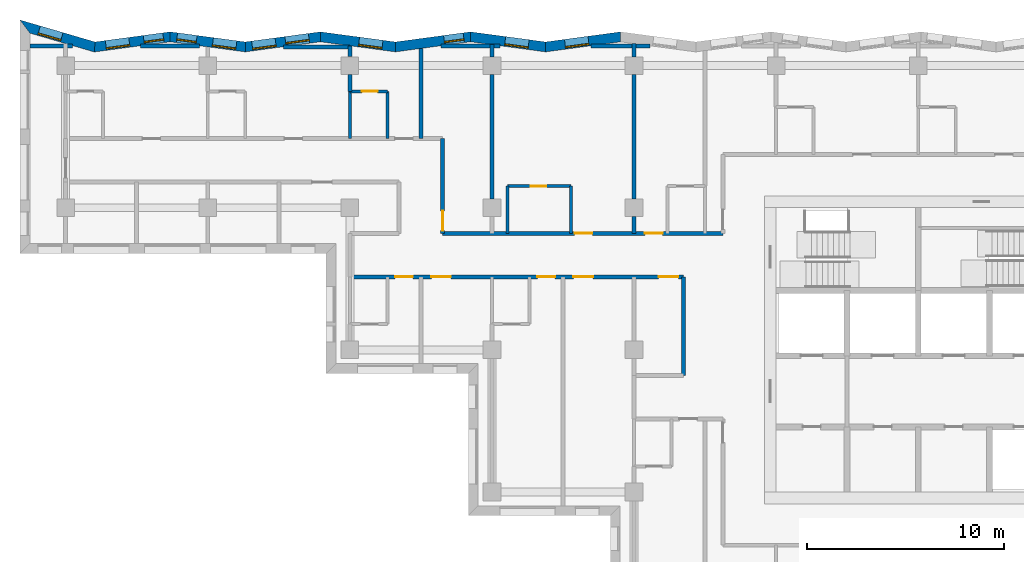
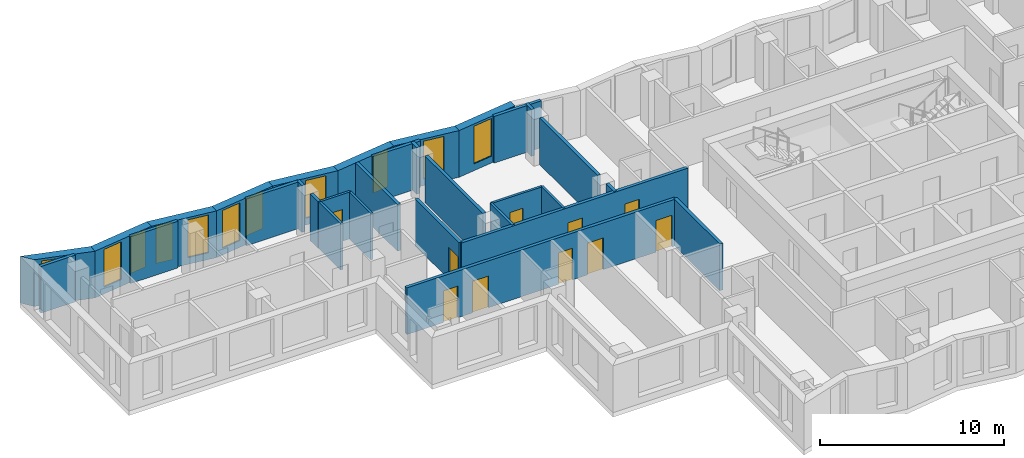
# One storey, part 5 of 12: 31 walls, 11 windows, 10 doors, 21 openings.
"""IFC4 building model written with IfcOpenShell, lengths in metres."""

from ifc_helpers import new_model, si_unit, direction, frame, frame_2d, origin, place, context, subcontext, project, spatial, polyline, rectangle, outline, extrude, material, layer, layer_set, type_object, element, fill, save


model = new_model("IFC4")

# Units and contexts
model_context = context("Model", 3, precision=1e-05, world=origin(), true_north=direction((0.0, 1.0)))
body_context = subcontext(model_context, "Body", "Model", "MODEL_VIEW")
ifc_project = project(units=[si_unit("LENGTHUNIT", "METRE"), si_unit("AREAUNIT", "SQUARE_METRE"), si_unit("VOLUMEUNIT", "CUBIC_METRE"), si_unit("PLANEANGLEUNIT", "RADIAN"), si_unit("MASSUNIT", "GRAM", prefix="KILO")], contexts=[model_context])

# Site, building, storey
site_placement = place(None, origin())
site = spatial("IfcSite", under=ifc_project, at=site_placement, CompositionType="ELEMENT")
building_placement = place(site_placement, origin())
building = spatial("IfcBuilding", under=site, at=building_placement, Name="Windrow Commons", CompositionType="ELEMENT")
storey_placement = place(building_placement, frame((0.0, 0.0, 159.2)))
storey = spatial("IfcBuildingStorey", under=building, at=storey_placement, Name="L43", CompositionType="ELEMENT", Elevation=159.2)

# Wall, opening, window
ifc_material_1 = material(Name="Brick masonry, red clay brick", Category="masonry")
ifc_layer_1 = layer(ifc_material_1, 0.5)
ifc_layer_set_1 = layer_set([ifc_layer_1], Name="Brick facade wall 500")
wall_type_1 = type_object("IfcWallType", Name="Brick facade wall 500", PredefinedType="SOLIDWALL", material=ifc_layer_set_1)
wall_1_placement = place(storey_placement, frame((49.7229, 73.4597, 0.0), z_axis=(0.0, 0.0, 1.0), x_axis=(-0.9910651652, -0.1333785524, 0.0)))
wall_1 = element("IfcWall", 1, at=wall_1_placement, inside=storey, type_object=wall_type_1, Name="Brick facade wall L43 27", PredefinedType="SOLIDWALL", context=body_context, shape_type="SweptSolid", body=[
    extrude(outline(polyline([(-0.0336, -0.25), (3.805, -0.25), (3.8723, 0.25), (0.0336, 0.25), (-0.0336, -0.25)])), origin(), (0.0, 0.0, 1.0), 3.1),
])
opening_1_placement = place(wall_1_placement, frame((1.6414, 0.0, 0.45)))
opening_1 = element("IfcOpeningElement", 2, at=opening_1_placement, cuts=wall_1, Name="Opening W7E", PredefinedType="OPENING", context=body_context, shape_type="SweptSolid", body=[
    extrude(rectangle(XDim=1.2, YDim=2.5, at=frame_2d((0.6, 1.25))), frame((0.0, 0.26, 0.0), z_axis=(0.0, -1.0, 0.0), x_axis=(1.0, 0.0, 0.0)), (0.0, 0.0, 1.0), 0.52),
])
ifc_material_2 = material(Name="Clear float glass in anodised aluminium frame", Category="aluminium")
window_type_1 = type_object("IfcWindowType", Name="Window W7 notch 1200x2500", PartitioningType="SINGLE_PANEL", PredefinedType="WINDOW", material=ifc_material_2)
window_1_placement = place(opening_1_placement, origin())
window_1 = element("IfcWindow", 3, at=window_1_placement, inside=storey, type_object=window_type_1, Name="Window L43 27.1", OverallHeight=2.5, OverallWidth=1.2, PartitioningType="SINGLE_PANEL", PredefinedType="WINDOW", context=body_context, shape_type="SweptSolid", body=[
    extrude(rectangle(XDim=1.2, YDim=2.5, at=frame_2d((0.6, 1.25))), frame((0.0, 0.18, 0.0), z_axis=(0.0, -1.0, 0.0), x_axis=(1.0, 0.0, 0.0)), (0.0, 0.0, 1.0), 0.06),
])
fill(opening_1, window_1)

wall_2_placement = place(storey_placement, frame((45.9185, 72.9477, 0.0), z_axis=(0.0, 0.0, 1.0), x_axis=(-0.9910651652, 0.1333785524, 0.0)))
wall_2 = element("IfcWall", 4, at=wall_2_placement, inside=storey, type_object=wall_type_1, Name="Brick facade wall L43 28", PredefinedType="SOLIDWALL", context=body_context, shape_type="SweptSolid", body=[
    extrude(outline(polyline([(0.0336, -0.25), (3.8723, -0.25), (3.805, 0.25), (-0.0336, 0.25), (0.0336, -0.25)])), origin(), (0.0, 0.0, 1.0), 3.1),
])
opening_2_placement = place(wall_2_placement, frame((0.8715, 0.0, 0.45)))
opening_2 = element("IfcOpeningElement", 5, at=opening_2_placement, cuts=wall_2, Name="Opening W7E", PredefinedType="OPENING", context=body_context, shape_type="SweptSolid", body=[
    extrude(rectangle(XDim=1.2, YDim=2.5, at=frame_2d((0.6, 1.25))), frame((0.0, 0.26, 0.0), z_axis=(0.0, -1.0, 0.0), x_axis=(1.0, 0.0, 0.0)), (0.0, 0.0, 1.0), 0.52),
])
window_2_placement = place(opening_2_placement, origin())
window_2 = element("IfcWindow", 6, at=window_2_placement, inside=storey, type_object=window_type_1, Name="Window L43 28.1", OverallHeight=2.5, OverallWidth=1.2, PartitioningType="SINGLE_PANEL", PredefinedType="WINDOW", context=body_context, shape_type="SweptSolid", body=[
    extrude(rectangle(XDim=1.2, YDim=2.5, at=frame_2d((0.6, 1.25))), frame((0.0, 0.18, 0.0), z_axis=(0.0, -1.0, 0.0), x_axis=(1.0, 0.0, 0.0)), (0.0, 0.0, 1.0), 0.06),
])
fill(opening_2, window_2)

wall_3_placement = place(storey_placement, frame((42.1141, 73.4597, 0.0), z_axis=(0.0, 0.0, 1.0), x_axis=(-0.9910647018, -0.133381996, 0.0)))
wall_3 = element("IfcWall", 7, at=wall_3_placement, inside=storey, type_object=wall_type_1, Name="Brick facade wall L43 29", PredefinedType="SOLIDWALL", context=body_context, shape_type="SweptSolid", body=[
    extrude(outline(polyline([(-0.0336, -0.25), (3.805, -0.25), (3.8723, 0.25), (0.0336, 0.25), (-0.0336, -0.25)])), origin(), (0.0, 0.0, 1.0), 3.1),
])
opening_3_placement = place(wall_3_placement, frame((0.345, 0.0, 0.45)))
opening_3 = element("IfcOpeningElement", 8, at=opening_3_placement, cuts=wall_3, Name="Opening W1S", PredefinedType="OPENING", context=body_context, shape_type="SweptSolid", body=[
    extrude(rectangle(XDim=1.0, YDim=2.5, at=frame_2d((0.5, 1.25))), frame((0.0, 0.26, 0.0), z_axis=(0.0, -1.0, 0.0), x_axis=(1.0, 0.0, 0.0)), (0.0, 0.0, 1.0), 0.52),
])
ifc_material_3 = material(Name="Clear float glass in anodised aluminium frame", Category="aluminium")
window_type_2 = type_object("IfcWindowType", Name="Window W1S slit 1000x2500", PartitioningType="SINGLE_PANEL", PredefinedType="WINDOW", material=ifc_material_3)
window_3_placement = place(opening_3_placement, origin())
window_3 = element("IfcWindow", 9, at=window_3_placement, inside=storey, type_object=window_type_2, Name="Window L43 29.1A", OverallHeight=2.5, OverallWidth=1.0, PartitioningType="SINGLE_PANEL", PredefinedType="WINDOW", context=body_context, shape_type="SweptSolid", body=[
    extrude(rectangle(XDim=1.0, YDim=2.5, at=frame_2d((0.5, 1.25))), frame((0.0, 0.12, 0.0), z_axis=(0.0, -1.0, 0.0), x_axis=(1.0, 0.0, 0.0)), (0.0, 0.0, 1.0), 0.06),
])
fill(opening_3, window_3)

wall_4_placement = place(storey_placement, frame((38.3098, 72.9477, 0.0), z_axis=(0.0, 0.0, 1.0), x_axis=(-0.9910651652, 0.1333785524, 0.0)))
wall_4 = element("IfcWall", 10, at=wall_4_placement, inside=storey, type_object=wall_type_1, Name="Brick facade wall L43 30", PredefinedType="SOLIDWALL", context=body_context, shape_type="SweptSolid", body=[
    extrude(outline(polyline([(0.0336, -0.25), (3.8723, -0.25), (3.805, 0.25), (-0.0336, 0.25), (0.0336, -0.25)])), origin(), (0.0, 0.0, 1.0), 3.1),
])
opening_4_placement = place(wall_4_placement, frame((0.6653, 0.0, 0.45)))
opening_4 = element("IfcOpeningElement", 11, at=opening_4_placement, cuts=wall_4, Name="Opening W7E", PredefinedType="OPENING", context=body_context, shape_type="SweptSolid", body=[
    extrude(rectangle(XDim=1.2, YDim=2.5, at=frame_2d((0.6, 1.25))), frame((0.0, 0.26, 0.0), z_axis=(0.0, -1.0, 0.0), x_axis=(1.0, 0.0, 0.0)), (0.0, 0.0, 1.0), 0.52),
])
window_4_placement = place(opening_4_placement, origin())
window_4 = element("IfcWindow", 12, at=window_4_placement, inside=storey, type_object=window_type_1, Name="Window L43 30.1", OverallHeight=2.5, OverallWidth=1.2, PartitioningType="SINGLE_PANEL", PredefinedType="WINDOW", context=body_context, shape_type="SweptSolid", body=[
    extrude(rectangle(XDim=1.2, YDim=2.5, at=frame_2d((0.6, 1.25))), frame((0.0, 0.18, 0.0), z_axis=(0.0, -1.0, 0.0), x_axis=(1.0, 0.0, 0.0)), (0.0, 0.0, 1.0), 0.06),
])
fill(opening_4, window_4)

# Wall, openings, windows
wall_5_placement = place(storey_placement, frame((34.5054, 73.4597, 0.0), z_axis=(0.0, 0.0, 1.0), x_axis=(-0.9910647018, -0.133381996, 0.0)))
wall_5 = element("IfcWall", 13, at=wall_5_placement, inside=storey, type_object=wall_type_1, Name="Brick facade wall L43 31", PredefinedType="SOLIDWALL", context=body_context, shape_type="SweptSolid", body=[
    extrude(outline(polyline([(-0.0336, -0.25), (3.805, -0.25), (3.8723, 0.25), (0.0336, 0.25), (-0.0336, -0.25)])), origin(), (0.0, 0.0, 1.0), 3.1),
])
opening_5_placement = place(wall_5_placement, frame((0.579, 0.0, 0.45)))
opening_5 = element("IfcOpeningElement", 14, at=opening_5_placement, cuts=wall_5, Name="Opening W7E", PredefinedType="OPENING", context=body_context, shape_type="SweptSolid", body=[
    extrude(rectangle(XDim=1.2, YDim=2.5, at=frame_2d((0.6, 1.25))), frame((0.0, 0.26, 0.0), z_axis=(0.0, -1.0, 0.0), x_axis=(1.0, 0.0, 0.0)), (0.0, 0.0, 1.0), 0.52),
])
opening_6_placement = place(wall_5_placement, frame((2.2815, 0.0, 0.45)))
opening_6 = element("IfcOpeningElement", 15, at=opening_6_placement, cuts=wall_5, Name="Opening W7E", PredefinedType="OPENING", context=body_context, shape_type="SweptSolid", body=[
    extrude(rectangle(XDim=1.2, YDim=2.5, at=frame_2d((0.6, 1.25))), frame((0.0, 0.26, 0.0), z_axis=(0.0, -1.0, 0.0), x_axis=(1.0, 0.0, 0.0)), (0.0, 0.0, 1.0), 0.52),
])
window_5_placement = place(opening_5_placement, origin())
window_5 = element("IfcWindow", 16, at=window_5_placement, inside=storey, type_object=window_type_1, Name="Window L43 31.1", OverallHeight=2.5, OverallWidth=1.2, PartitioningType="SINGLE_PANEL", PredefinedType="WINDOW", context=body_context, shape_type="SweptSolid", body=[
    extrude(rectangle(XDim=1.2, YDim=2.5, at=frame_2d((0.6, 1.25))), frame((0.0, 0.12, 0.0), z_axis=(0.0, -1.0, 0.0), x_axis=(1.0, 0.0, 0.0)), (0.0, 0.0, 1.0), 0.06),
])
fill(opening_5, window_5)
window_6_placement = place(opening_6_placement, origin())
window_6 = element("IfcWindow", 17, at=window_6_placement, inside=storey, type_object=window_type_1, Name="Window L43 31.2", OverallHeight=2.5, OverallWidth=1.2, PartitioningType="SINGLE_PANEL", PredefinedType="WINDOW", context=body_context, shape_type="SweptSolid", body=[
    extrude(rectangle(XDim=1.2, YDim=2.5, at=frame_2d((0.6, 1.25))), frame((0.0, 0.18, 0.0), z_axis=(0.0, -1.0, 0.0), x_axis=(1.0, 0.0, 0.0)), (0.0, 0.0, 1.0), 0.06),
])
fill(opening_6, window_6)

wall_6_placement = place(storey_placement, frame((30.7011, 72.9477, 0.0), z_axis=(0.0, 0.0, 1.0), x_axis=(-0.9910651652, 0.1333785524, 0.0)))
wall_6 = element("IfcWall", 18, at=wall_6_placement, inside=storey, type_object=wall_type_1, Name="Brick facade wall L43 32", PredefinedType="SOLIDWALL", context=body_context, shape_type="SweptSolid", body=[
    extrude(outline(polyline([(0.0336, -0.25), (3.8723, -0.25), (3.805, 0.25), (-0.0336, 0.25), (0.0336, -0.25)])), origin(), (0.0, 0.0, 1.0), 3.1),
])
opening_7_placement = place(wall_6_placement, frame((0.4591, 0.0, 0.45)))
opening_7 = element("IfcOpeningElement", 19, at=opening_7_placement, cuts=wall_6, Name="Opening W7E", PredefinedType="OPENING", context=body_context, shape_type="SweptSolid", body=[
    extrude(rectangle(XDim=1.2, YDim=2.5, at=frame_2d((0.6, 1.25))), frame((0.0, 0.26, 0.0), z_axis=(0.0, -1.0, 0.0), x_axis=(1.0, 0.0, 0.0)), (0.0, 0.0, 1.0), 0.52),
])
opening_8_placement = place(wall_6_placement, frame((2.4938, 0.0, 0.45)))
opening_8 = element("IfcOpeningElement", 20, at=opening_8_placement, cuts=wall_6, Name="Opening W1S", PredefinedType="OPENING", context=body_context, shape_type="SweptSolid", body=[
    extrude(rectangle(XDim=1.0, YDim=2.5, at=frame_2d((0.5, 1.25))), frame((0.0, 0.26, 0.0), z_axis=(0.0, -1.0, 0.0), x_axis=(1.0, 0.0, 0.0)), (0.0, 0.0, 1.0), 0.52),
])
window_7_placement = place(opening_8_placement, origin())
window_7 = element("IfcWindow", 21, at=window_7_placement, inside=storey, type_object=window_type_2, Name="Window L43 32.2A", OverallHeight=2.5, OverallWidth=1.0, PartitioningType="SINGLE_PANEL", PredefinedType="WINDOW", context=body_context, shape_type="SweptSolid", body=[
    extrude(rectangle(XDim=1.0, YDim=2.5, at=frame_2d((0.5, 1.25))), frame((0.0, 0.12, 0.0), z_axis=(0.0, -1.0, 0.0), x_axis=(1.0, 0.0, 0.0)), (0.0, 0.0, 1.0), 0.06),
])
fill(opening_8, window_7)
window_8_placement = place(opening_7_placement, origin())
window_8 = element("IfcWindow", 22, at=window_8_placement, inside=storey, type_object=window_type_1, Name="Window L43 32.1", OverallHeight=2.5, OverallWidth=1.2, PartitioningType="SINGLE_PANEL", PredefinedType="WINDOW", context=body_context, shape_type="SweptSolid", body=[
    extrude(rectangle(XDim=1.2, YDim=2.5, at=frame_2d((0.6, 1.25))), frame((0.0, 0.18, 0.0), z_axis=(0.0, -1.0, 0.0), x_axis=(1.0, 0.0, 0.0)), (0.0, 0.0, 1.0), 0.06),
])
fill(opening_7, window_8)

wall_7_placement = place(storey_placement, frame((26.8967, 73.4597, 0.0), z_axis=(0.0, 0.0, 1.0), x_axis=(-0.9910680415, -0.1333571784, 0.0)))
wall_7 = element("IfcWall", 23, at=wall_7_placement, inside=storey, type_object=wall_type_1, Name="Brick facade wall L43 33", PredefinedType="SOLIDWALL", context=body_context, shape_type="SweptSolid", body=[
    extrude(outline(polyline([(-0.0336, -0.25), (3.805, -0.25), (3.9111, 0.25), (0.0336, 0.25), (-0.0336, -0.25)])), origin(), (0.0, 0.0, 1.0), 3.1),
])
opening_9_placement = place(wall_7_placement, frame((2.085, 0.0, 0.45)))
opening_9 = element("IfcOpeningElement", 24, at=opening_9_placement, cuts=wall_7, Name="Opening W7E", PredefinedType="OPENING", context=body_context, shape_type="SweptSolid", body=[
    extrude(rectangle(XDim=1.2, YDim=2.5, at=frame_2d((0.6, 1.25))), frame((0.0, 0.26, 0.0), z_axis=(0.0, -1.0, 0.0), x_axis=(1.0, 0.0, 0.0)), (0.0, 0.0, 1.0), 0.52),
])
opening_10_placement = place(wall_7_placement, frame((0.345, 0.0, 0.45)))
opening_10 = element("IfcOpeningElement", 25, at=opening_10_placement, cuts=wall_7, Name="Opening W1S", PredefinedType="OPENING", context=body_context, shape_type="SweptSolid", body=[
    extrude(rectangle(XDim=1.0, YDim=2.5, at=frame_2d((0.5, 1.25))), frame((0.0, 0.26, 0.0), z_axis=(0.0, -1.0, 0.0), x_axis=(1.0, 0.0, 0.0)), (0.0, 0.0, 1.0), 0.52),
])
window_9_placement = place(opening_10_placement, origin())
window_9 = element("IfcWindow", 26, at=window_9_placement, inside=storey, type_object=window_type_2, Name="Window L43 33.1A", OverallHeight=2.5, OverallWidth=1.0, PartitioningType="SINGLE_PANEL", PredefinedType="WINDOW", context=body_context, shape_type="SweptSolid", body=[
    extrude(rectangle(XDim=1.0, YDim=2.5, at=frame_2d((0.5, 1.25))), frame((0.0, 0.12, 0.0), z_axis=(0.0, -1.0, 0.0), x_axis=(1.0, 0.0, 0.0)), (0.0, 0.0, 1.0), 0.06),
])
fill(opening_10, window_9)
window_10_placement = place(opening_9_placement, origin())
window_10 = element("IfcWindow", 27, at=window_10_placement, inside=storey, type_object=window_type_1, Name="Window L43 33.2", OverallHeight=2.5, OverallWidth=1.2, PartitioningType="SINGLE_PANEL", PredefinedType="WINDOW", context=body_context, shape_type="SweptSolid", body=[
    extrude(rectangle(XDim=1.2, YDim=2.5, at=frame_2d((0.6, 1.25))), frame((0.0, 0.18, 0.0), z_axis=(0.0, -1.0, 0.0), x_axis=(1.0, 0.0, 0.0)), (0.0, 0.0, 1.0), 0.06),
])
fill(opening_9, window_10)

# Wall, opening, window
wall_8_placement = place(storey_placement, frame((23.0731, 72.9452, 0.0), z_axis=(0.0, 0.0, 1.0), x_axis=(-0.9598371454, 0.2805577557, 0.0)))
wall_8 = element("IfcWall", 28, at=wall_8_placement, inside=storey, type_object=wall_type_1, Name="Brick facade wall L43 34", PredefinedType="SOLIDWALL", context=body_context, shape_type="SweptSolid", body=[
    extrude(outline(polyline([(0.053, -0.25), (4.0166, -0.25), (3.3495, 0.25), (-0.053, 0.25), (0.053, -0.25)])), origin(), (0.0, 0.0, 1.0), 3.1),
])
opening_11_placement = place(wall_8_placement, frame((1.7421, 0.0, 0.45)))
opening_11 = element("IfcOpeningElement", 29, at=opening_11_placement, cuts=wall_8, Name="Opening W7E", PredefinedType="OPENING", context=body_context, shape_type="SweptSolid", body=[
    extrude(rectangle(XDim=1.2, YDim=2.5, at=frame_2d((0.6, 1.25))), frame((0.0, 0.26, 0.0), z_axis=(0.0, -1.0, 0.0), x_axis=(1.0, 0.0, 0.0)), (0.0, 0.0, 1.0), 0.52),
])
window_11_placement = place(opening_11_placement, origin())
window_11 = element("IfcWindow", 30, at=window_11_placement, inside=storey, type_object=window_type_1, Name="Window L43 34.1", OverallHeight=2.5, OverallWidth=1.2, PartitioningType="SINGLE_PANEL", PredefinedType="WINDOW", context=body_context, shape_type="SweptSolid", body=[
    extrude(rectangle(XDim=1.2, YDim=2.5, at=frame_2d((0.6, 1.25))), frame((0.0, 0.18, 0.0), z_axis=(0.0, -1.0, 0.0), x_axis=(1.0, 0.0, 0.0)), (0.0, 0.0, 1.0), 0.06),
])
fill(opening_11, window_11)

# Wall, openings, doors
ifc_material_4 = material(Name="Blockwork partition", Category="masonry")
ifc_layer_2 = layer(ifc_material_4, 0.2)
ifc_layer_set_2 = layer_set([ifc_layer_2], Name="IW-CORRIDOR-200")
wall_type_2 = type_object("IfcWallType", Name="IW-CORRIDOR-200", PredefinedType="PARTITIONING", material=ifc_layer_set_2)
wall_9_placement = place(storey_placement, frame((36.0, 61.3, 0.0), z_axis=(0.0, 0.0, 1.0), x_axis=(1.0, 0.0, 0.0)))
wall_9 = element("IfcWall", 31, at=wall_9_placement, inside=storey, type_object=wall_type_2, Name="W-L43-W004", PredefinedType="PARTITIONING", context=body_context, shape_type="SweptSolid", body=[
    extrude(rectangle(XDim=16.9, YDim=0.2, at=frame_2d((8.45, 0.0))), origin(), (0.0, 0.0, 1.0), 3.1),
])
opening_12_placement = place(wall_9_placement, frame((2.3, 0.0, 0.0)))
opening_12 = element("IfcOpeningElement", 32, at=opening_12_placement, cuts=wall_9, Name="Opening D109S", PredefinedType="OPENING", context=body_context, shape_type="SweptSolid", body=[
    extrude(rectangle(XDim=0.9, YDim=2.1, at=frame_2d((0.45, 1.05))), frame((0.0, 0.11, 0.0), z_axis=(0.0, -1.0, 0.0), x_axis=(1.0, 0.0, 0.0)), (0.0, 0.0, 1.0), 0.22),
])
opening_13_placement = place(wall_9_placement, frame((4.125, 0.0, 0.0)))
opening_13 = element("IfcOpeningElement", 33, at=opening_13_placement, cuts=wall_9, Name="Opening D310F", PredefinedType="OPENING", context=body_context, shape_type="SweptSolid", body=[
    extrude(rectangle(XDim=1.0, YDim=2.1, at=frame_2d((0.5, 1.05))), frame((0.0, 0.11, 0.0), z_axis=(0.0, -1.0, 0.0), x_axis=(1.0, 0.0, 0.0)), (0.0, 0.0, 1.0), 0.22),
])
opening_14_placement = place(wall_9_placement, frame((9.5, 0.0, 0.0)))
opening_14 = element("IfcOpeningElement", 34, at=opening_14_placement, cuts=wall_9, Name="Opening D109S", PredefinedType="OPENING", context=body_context, shape_type="SweptSolid", body=[
    extrude(rectangle(XDim=0.9, YDim=2.1, at=frame_2d((0.45, 1.05))), frame((0.0, 0.11, 0.0), z_axis=(0.0, -1.0, 0.0), x_axis=(1.0, 0.0, 0.0)), (0.0, 0.0, 1.0), 0.22),
])
opening_15_placement = place(wall_9_placement, frame((11.325, 0.0, 0.0)))
opening_15 = element("IfcOpeningElement", 35, at=opening_15_placement, cuts=wall_9, Name="Opening D310F", PredefinedType="OPENING", context=body_context, shape_type="SweptSolid", body=[
    extrude(rectangle(XDim=1.0, YDim=2.1, at=frame_2d((0.5, 1.05))), frame((0.0, 0.11, 0.0), z_axis=(0.0, -1.0, 0.0), x_axis=(1.0, 0.0, 0.0)), (0.0, 0.0, 1.0), 0.22),
])
opening_16_placement = place(wall_9_placement, frame((15.6471, 0.0, 0.0)))
opening_16 = element("IfcOpeningElement", 36, at=opening_16_placement, cuts=wall_9, Name="Opening D410F", PredefinedType="OPENING", context=body_context, shape_type="SweptSolid", body=[
    extrude(rectangle(XDim=1.0, YDim=2.1, at=frame_2d((0.5, 1.05))), frame((0.0, 0.11, 0.0), z_axis=(0.0, -1.0, 0.0), x_axis=(1.0, 0.0, 0.0)), (0.0, 0.0, 1.0), 0.22),
])
ifc_material_5 = material(Name="Timber door leaf", Category="wood")
door_type_1 = type_object("IfcDoorType", Name="DT-AMENITY-1000", OperationType="SINGLE_SWING_LEFT", PredefinedType="DOOR", material=ifc_material_5)
door_1_placement = place(opening_13_placement, origin())
door_1 = element("IfcDoor", 37, at=door_1_placement, inside=storey, type_object=door_type_1, Name="D-L43-D013", OperationType="SINGLE_SWING_RIGHT", OverallHeight=2.1, OverallWidth=1.0, PredefinedType="DOOR", context=body_context, shape_type="SweptSolid", body=[
    extrude(rectangle(XDim=1.0, YDim=2.1, at=frame_2d((0.5, 1.05))), frame((0.0, 0.025, 0.0), z_axis=(0.0, -1.0, 0.0), x_axis=(1.0, 0.0, 0.0)), (0.0, 0.0, 1.0), 0.05),
])
fill(opening_13, door_1)
door_2_placement = place(opening_15_placement, origin())
door_2 = element("IfcDoor", 38, at=door_2_placement, inside=storey, type_object=door_type_1, Name="D-L43-D025", OperationType="SINGLE_SWING_RIGHT", OverallHeight=2.1, OverallWidth=1.0, PredefinedType="DOOR", context=body_context, shape_type="SweptSolid", body=[
    extrude(rectangle(XDim=1.0, YDim=2.1, at=frame_2d((0.5, 1.05))), frame((0.0, 0.025, 0.0), z_axis=(0.0, -1.0, 0.0), x_axis=(1.0, 0.0, 0.0)), (0.0, 0.0, 1.0), 0.05),
])
fill(opening_15, door_2)
ifc_material_6 = material(Name="Timber door leaf", Category="wood")
door_type_2 = type_object("IfcDoorType", Name="DT-BEDROOM-900", OperationType="SINGLE_SWING_LEFT", PredefinedType="DOOR", material=ifc_material_6)
door_3_placement = place(opening_12_placement, origin())
door_3 = element("IfcDoor", 39, at=door_3_placement, inside=storey, type_object=door_type_2, Name="D-L43-D011", OperationType="SINGLE_SWING_LEFT", OverallHeight=2.1, OverallWidth=0.9, PredefinedType="DOOR", context=body_context, shape_type="SweptSolid", body=[
    extrude(rectangle(XDim=0.9, YDim=2.1, at=frame_2d((0.45, 1.05))), frame((0.0, 0.025, 0.0), z_axis=(0.0, -1.0, 0.0), x_axis=(1.0, 0.0, 0.0)), (0.0, 0.0, 1.0), 0.05),
])
fill(opening_12, door_3)
door_4_placement = place(opening_14_placement, origin())
door_4 = element("IfcDoor", 40, at=door_4_placement, inside=storey, type_object=door_type_2, Name="D-L43-D014", OperationType="SINGLE_SWING_LEFT", OverallHeight=2.1, OverallWidth=0.9, PredefinedType="DOOR", context=body_context, shape_type="SweptSolid", body=[
    extrude(rectangle(XDim=0.9, YDim=2.1, at=frame_2d((0.45, 1.05))), frame((0.0, 0.025, 0.0), z_axis=(0.0, -1.0, 0.0), x_axis=(1.0, 0.0, 0.0)), (0.0, 0.0, 1.0), 0.05),
])
fill(opening_14, door_4)
ifc_material_7 = material(Name="Timber door leaf", Category="wood")
door_type_3 = type_object("IfcDoorType", Name="DT-SERVICE-1000", OperationType="SINGLE_SWING_LEFT", PredefinedType="DOOR", material=ifc_material_7)
door_5_placement = place(opening_16_placement, origin())
door_5 = element("IfcDoor", 41, at=door_5_placement, inside=storey, type_object=door_type_3, Name="D-L43-D029", OperationType="SINGLE_SWING_LEFT", OverallHeight=2.1, OverallWidth=1.0, PredefinedType="DOOR", context=body_context, shape_type="SweptSolid", body=[
    extrude(rectangle(XDim=1.0, YDim=2.1, at=frame_2d((0.5, 1.05))), frame((0.0, 0.025, 0.0), z_axis=(0.0, -1.0, 0.0), x_axis=(1.0, 0.0, 0.0)), (0.0, 0.0, 1.0), 0.05),
])
fill(opening_16, door_5)

wall_10_placement = place(storey_placement, frame((40.702, 63.5, 0.0), z_axis=(0.0, 0.0, 1.0), x_axis=(1.0, 0.0, 0.0)))
wall_10 = element("IfcWall", 42, at=wall_10_placement, inside=storey, type_object=wall_type_2, Name="W-L43-W005", PredefinedType="PARTITIONING", context=body_context, shape_type="SweptSolid", body=[
    extrude(rectangle(XDim=14.198, YDim=0.2, at=frame_2d((7.099, 0.0))), origin(), (0.0, 0.0, 1.0), 3.1),
])
opening_17_placement = place(wall_10_placement, frame((6.6925, 0.0, 0.0)))
opening_17 = element("IfcOpeningElement", 43, at=opening_17_placement, cuts=wall_10, Name="Opening D109F", PredefinedType="OPENING", context=body_context, shape_type="SweptSolid", body=[
    extrude(rectangle(XDim=0.9, YDim=2.1, at=frame_2d((0.45, 1.05))), frame((0.0, 0.11, 0.0), z_axis=(0.0, -1.0, 0.0), x_axis=(1.0, 0.0, 0.0)), (0.0, 0.0, 1.0), 0.22),
])
opening_18_placement = place(wall_10_placement, frame((10.2497, 0.0, 0.0)))
opening_18 = element("IfcOpeningElement", 44, at=opening_18_placement, cuts=wall_10, Name="Opening D109S", PredefinedType="OPENING", context=body_context, shape_type="SweptSolid", body=[
    extrude(rectangle(XDim=0.9, YDim=2.1, at=frame_2d((0.45, 1.05))), frame((0.0, 0.11, 0.0), z_axis=(0.0, -1.0, 0.0), x_axis=(1.0, 0.0, 0.0)), (0.0, 0.0, 1.0), 0.22),
])
door_6_placement = place(opening_17_placement, origin())
door_6 = element("IfcDoor", 45, at=door_6_placement, inside=storey, type_object=door_type_2, Name="D-L43-D017", OperationType="SINGLE_SWING_RIGHT", OverallHeight=2.1, OverallWidth=0.9, PredefinedType="DOOR", context=body_context, shape_type="SweptSolid", body=[
    extrude(rectangle(XDim=0.9, YDim=2.1, at=frame_2d((0.45, 1.05))), frame((0.0, 0.025, 0.0), z_axis=(0.0, -1.0, 0.0), x_axis=(1.0, 0.0, 0.0)), (0.0, 0.0, 1.0), 0.05),
])
fill(opening_17, door_6)
door_7_placement = place(opening_18_placement, origin())
door_7 = element("IfcDoor", 46, at=door_7_placement, inside=storey, type_object=door_type_2, Name="D-L43-D019", OperationType="SINGLE_SWING_RIGHT", OverallHeight=2.1, OverallWidth=0.9, PredefinedType="DOOR", context=body_context, shape_type="SweptSolid", body=[
    extrude(rectangle(XDim=0.9, YDim=2.1, at=frame_2d((0.45, 1.05))), frame((0.0, 0.025, 0.0), z_axis=(0.0, -1.0, 0.0), x_axis=(1.0, 0.0, 0.0)), (0.0, 0.0, 1.0), 0.05),
])
fill(opening_18, door_7)

# Wall
wall_11_placement = place(storey_placement, frame((52.9, 56.302, 0.0), z_axis=(0.0, 0.0, 1.0), x_axis=(0.0, 1.0, 0.0)))
element("IfcWall", 47, at=wall_11_placement, inside=storey, type_object=wall_type_2, Name="W-L43-W030", PredefinedType="PARTITIONING", context=body_context, shape_type="SweptSolid", body=[
    extrude(rectangle(XDim=4.998, YDim=0.2, at=frame_2d((2.499, 0.0))), origin(), (0.0, 0.0, 1.0), 3.1),
])

# Wall, opening, door
wall_12_placement = place(storey_placement, frame((40.7, 63.502, 0.0), z_axis=(0.0, 0.0, 1.0), x_axis=(0.0, 1.0, 0.0)))
wall_12 = element("IfcWall", 48, at=wall_12_placement, inside=storey, type_object=wall_type_2, Name="W-L43-W031", PredefinedType="PARTITIONING", context=body_context, shape_type="SweptSolid", body=[
    extrude(rectangle(XDim=4.798, YDim=0.2, at=frame_2d((2.399, 0.0))), origin(), (0.0, 0.0, 1.0), 3.1),
])
opening_19_placement = place(wall_12_placement, frame((0.133, 0.0, 0.0)))
opening_19 = element("IfcOpeningElement", 49, at=opening_19_placement, cuts=wall_12, Name="Opening D310F", PredefinedType="OPENING", context=body_context, shape_type="SweptSolid", body=[
    extrude(rectangle(XDim=1.0, YDim=2.1, at=frame_2d((0.5, 1.05))), frame((0.0, 0.11, 0.0), z_axis=(0.0, -1.0, 0.0), x_axis=(1.0, 0.0, 0.0)), (0.0, 0.0, 1.0), 0.22),
])
door_8_placement = place(opening_19_placement, origin())
door_8 = element("IfcDoor", 50, at=door_8_placement, inside=storey, type_object=door_type_1, Name="D-L43-D016", OperationType="SINGLE_SWING_LEFT", OverallHeight=2.1, OverallWidth=1.0, PredefinedType="DOOR", context=body_context, shape_type="SweptSolid", body=[
    extrude(rectangle(XDim=1.0, YDim=2.1, at=frame_2d((0.5, 1.05))), frame((0.0, 0.025, 0.0), z_axis=(0.0, -1.0, 0.0), x_axis=(1.0, 0.0, 0.0)), (0.0, 0.0, 1.0), 0.05),
])
fill(opening_19, door_8)

ifc_material_8 = material(Name="Blockwork partition", Category="masonry")
ifc_layer_3 = layer(ifc_material_8, 0.15)
ifc_layer_set_3 = layer_set([ifc_layer_3], Name="IW-ENSUITE-150")
wall_type_3 = type_object("IfcWallType", Name="IW-ENSUITE-150", PredefinedType="PARTITIONING", material=ifc_layer_set_3)
wall_13_placement = place(storey_placement, frame((44.0, 65.9, 0.0), z_axis=(0.0, 0.0, 1.0), x_axis=(1.0, 0.0, 0.0)))
wall_13 = element("IfcWall", 51, at=wall_13_placement, inside=storey, type_object=wall_type_3, Name="W-L43-W050", PredefinedType="PARTITIONING", context=body_context, shape_type="SweptSolid", body=[
    extrude(rectangle(XDim=3.2, YDim=0.15, at=frame_2d((1.6, 0.0))), origin(), (0.0, 0.0, 1.0), 3.1),
])
opening_20_placement = place(wall_13_placement, frame((1.154, 0.0, 0.0)))
opening_20 = element("IfcOpeningElement", 52, at=opening_20_placement, cuts=wall_13, Name="Opening D208N", PredefinedType="OPENING", context=body_context, shape_type="SweptSolid", body=[
    extrude(rectangle(XDim=0.8, YDim=2.1, at=frame_2d((0.4, 1.05))), frame((0.0, 0.085, 0.0), z_axis=(0.0, -1.0, 0.0), x_axis=(1.0, 0.0, 0.0)), (0.0, 0.0, 1.0), 0.17),
])
ifc_material_9 = material(Name="Timber door leaf", Category="wood")
door_type_4 = type_object("IfcDoorType", Name="DT-ENSUITE-800", OperationType="SINGLE_SWING_LEFT", PredefinedType="DOOR", material=ifc_material_9)
door_9_placement = place(opening_20_placement, origin())
door_9 = element("IfcDoor", 53, at=door_9_placement, inside=storey, type_object=door_type_4, Name="D-L43-D018", OperationType="SINGLE_SWING_RIGHT", OverallHeight=2.1, OverallWidth=0.8, PredefinedType="DOOR", context=body_context, shape_type="SweptSolid", body=[
    extrude(rectangle(XDim=0.8, YDim=2.1, at=frame_2d((0.4, 1.05))), frame((0.0, 0.025, 0.0), z_axis=(0.0, -1.0, 0.0), x_axis=(1.0, 0.0, 0.0)), (0.0, 0.0, 1.0), 0.05),
])
fill(opening_20, door_9)

# Walls
for number, where, z_axis, x_axis, name in (
    (54, (37.9, 68.3, 0.0), (0.0, 0.0, 1.0), (0.0, 1.0, 0.0), "W-L43-W077"),
    (55, (36.0, 68.3, 0.0), (0.0, 0.0, 1.0), (0.0, 1.0, 0.0), "W-L43-W078"),
    (56, (44.0, 63.5, 0.0), (0.0, 0.0, 1.0), (0.0, 1.0, 0.0), "W-L43-W079"),
    (57, (47.2, 63.5, 0.0), (0.0, 0.0, 1.0), (0.0, 1.0, 0.0), "W-L43-W080"),
):
    element("IfcWall", number, at=place(storey_placement, frame(where, z_axis=z_axis, x_axis=x_axis)), inside=storey, type_object=wall_type_3, Name=name, PredefinedType="PARTITIONING", context=body_context, shape_type="SweptSolid", body=[
        extrude(rectangle(XDim=2.4, YDim=0.15, at=frame_2d((1.2, 0.0))), origin(), (0.0, 0.0, 1.0), 3.1),
    ])

# Wall, opening, door
wall_14_placement = place(storey_placement, frame((36.0, 70.7, 0.0), z_axis=(0.0, 0.0, 1.0), x_axis=(1.0, 0.0, 0.0)))
wall_14 = element("IfcWall", 58, at=wall_14_placement, inside=storey, type_object=wall_type_3, Name="W-L43-W119", PredefinedType="PARTITIONING", context=body_context, shape_type="SweptSolid", body=[
    extrude(rectangle(XDim=1.9, YDim=0.15, at=frame_2d((0.95, 0.0))), origin(), (0.0, 0.0, 1.0), 3.1),
])
opening_21_placement = place(wall_14_placement, frame((0.6069, 0.0, 0.0)))
opening_21 = element("IfcOpeningElement", 59, at=opening_21_placement, cuts=wall_14, Name="Opening D208N", PredefinedType="OPENING", context=body_context, shape_type="SweptSolid", body=[
    extrude(rectangle(XDim=0.8, YDim=2.1, at=frame_2d((0.4, 1.05))), frame((0.0, 0.085, 0.0), z_axis=(0.0, -1.0, 0.0), x_axis=(1.0, 0.0, 0.0)), (0.0, 0.0, 1.0), 0.17),
])
door_10_placement = place(opening_21_placement, origin())
door_10 = element("IfcDoor", 60, at=door_10_placement, inside=storey, type_object=door_type_4, Name="D-L43-D009", OperationType="SINGLE_SWING_RIGHT", OverallHeight=2.1, OverallWidth=0.8, PredefinedType="DOOR", context=body_context, shape_type="SweptSolid", body=[
    extrude(rectangle(XDim=0.8, YDim=2.1, at=frame_2d((0.4, 1.05))), frame((0.0, 0.025, 0.0), z_axis=(0.0, -1.0, 0.0), x_axis=(1.0, 0.0, 0.0)), (0.0, 0.0, 1.0), 0.05),
])
fill(opening_21, door_10)

# Walls
ifc_material_10 = material(Name="Blockwork partition", Category="masonry")
ifc_layer_4 = layer(ifc_material_10, 0.2)
ifc_layer_set_4 = layer_set([ifc_layer_4], Name="IW-PARTY-200")
wall_type_4 = type_object("IfcWallType", Name="IW-PARTY-200", PredefinedType="PARTITIONING", material=ifc_layer_set_4)
for number, where, z_axis, x_axis, name in (
    (61, (43.2, 65.25, 0.0), (0.0, 0.0, 1.0), (0.0, 1.0, 0.0), "W-L43-W023"),
    (62, (50.4, 65.25, 0.0), (0.0, 0.0, 1.0), (0.0, 1.0, 0.0), "W-L43-W024"),
):
    element("IfcWall", number, at=place(storey_placement, frame(where, z_axis=z_axis, x_axis=x_axis)), inside=storey, type_object=wall_type_4, Name=name, PredefinedType="PARTITIONING", context=body_context, shape_type="SweptSolid", body=[
        extrude(rectangle(XDim=6.3, YDim=0.2, at=frame_2d((3.15, 0.0))), origin(), (0.0, 0.0, 1.0), 3.1),
    ])
wall_15_placement = place(storey_placement, frame((39.6, 68.3, 0.0), z_axis=(0.0, 0.0, 1.0), x_axis=(0.0, 1.0, 0.0)))
element("IfcWall", 63, at=wall_15_placement, inside=storey, type_object=wall_type_4, Name="W-L43-W036", PredefinedType="PARTITIONING", context=body_context, shape_type="SweptSolid", body=[
    extrude(rectangle(XDim=4.5691, YDim=0.2, at=frame_2d((2.2845, 0.0))), origin(), (0.0, 0.0, 1.0), 3.1),
])
wall_16_placement = place(storey_placement, frame((25.405, 73.0, 0.0), z_axis=(0.0, 0.0, 1.0), x_axis=(1.0, 0.0, 0.0)))
element("IfcWall", 64, at=wall_16_placement, inside=storey, type_object=wall_type_4, Name="W-L43-W057", PredefinedType="PARTITIONING", context=body_context, shape_type="SweptSolid", body=[
    extrude(rectangle(XDim=2.9835, YDim=0.2, at=frame_2d((1.4917, 0.0))), origin(), (0.0, 0.0, 1.0), 3.1),
])
wall_17_placement = place(storey_placement, frame((32.6477, 72.9507, 0.0), z_axis=(0.0, 0.0, 1.0), x_axis=(1.0, 0.0, 0.0)))
element("IfcWall", 65, at=wall_17_placement, inside=storey, type_object=wall_type_4, Name="W-L43-W058", PredefinedType="PARTITIONING", context=body_context, shape_type="SweptSolid", body=[
    extrude(rectangle(XDim=3.3523, YDim=0.2, at=frame_2d((1.6762, 0.0))), origin(), (0.0, 0.0, 1.0), 3.1),
])
for number, where, z_axis, x_axis, name in (
    (66, (40.6224, 73.0, 0.0), (0.0, 0.0, 1.0), (1.0, 0.0, 0.0), "W-L43-W059"),
    (67, (48.2311, 73.0, 0.0), (0.0, 0.0, 1.0), (1.0, 0.0, 0.0), "W-L43-W060"),
):
    element("IfcWall", number, at=place(storey_placement, frame(where, z_axis=z_axis, x_axis=x_axis)), inside=storey, type_object=wall_type_4, Name=name, PredefinedType="PARTITIONING", context=body_context, shape_type="SweptSolid", body=[
        extrude(rectangle(XDim=2.9835, YDim=0.2, at=frame_2d((1.4917, 0.0))), origin(), (0.0, 0.0, 1.0), 3.1),
    ])
wall_18_placement = place(storey_placement, frame((19.788, 73.0, 0.0), z_axis=(0.0, 0.0, 1.0), x_axis=(1.0, 0.0, 0.0)))
element("IfcWall", 68, at=wall_18_placement, inside=storey, type_object=wall_type_4, Name="W-L43-W111", PredefinedType="PARTITIONING", context=body_context, shape_type="SweptSolid", body=[
    extrude(rectangle(XDim=2.1564, YDim=0.2, at=frame_2d((1.0782, 0.0))), origin(), (0.0, 0.0, 1.0), 3.1),
])
for number, where, z_axis, x_axis, name in (
    (69, (36.0, 70.7, 0.0), (0.0, 0.0, 1.0), (0.0, 1.0, 0.0), "W-L43-W150"),
    (70, (50.4, 63.5, 0.0), (0.0, 0.0, 1.0), (0.0, 1.0, 0.0), "W-L43-W152"),
):
    element("IfcWall", number, at=place(storey_placement, frame(where, z_axis=z_axis, x_axis=x_axis)), inside=storey, type_object=wall_type_4, Name=name, PredefinedType="PARTITIONING", context=body_context, shape_type="SweptSolid", body=[
        extrude(rectangle(XDim=0.85, YDim=0.2, at=frame_2d((0.425, 0.0))), origin(), (0.0, 0.0, 1.0), 3.1),
    ])
wall_19_placement = place(storey_placement, frame((50.4, 72.45, 0.0), z_axis=(0.0, 0.0, 1.0), x_axis=(0.0, 1.0, 0.0)))
element("IfcWall", 71, at=wall_19_placement, inside=storey, type_object=wall_type_4, Name="W-L43-W163", PredefinedType="PARTITIONING", context=body_context, shape_type="SweptSolid", body=[
    extrude(rectangle(XDim=0.6664, YDim=0.2, at=frame_2d((0.3332, 0.0))), origin(), (0.0, 0.0, 1.0), 3.1),
])
wall_20_placement = place(storey_placement, frame((43.2, 72.45, 0.0), z_axis=(0.0, 0.0, 1.0), x_axis=(0.0, 1.0, 0.0)))
element("IfcWall", 72, at=wall_20_placement, inside=storey, type_object=wall_type_4, Name="W-L43-W169", PredefinedType="PARTITIONING", context=body_context, shape_type="SweptSolid", body=[
    extrude(rectangle(XDim=0.6114, YDim=0.2, at=frame_2d((0.3057, 0.0))), origin(), (0.0, 0.0, 1.0), 3.1),
])
wall_21_placement = place(storey_placement, frame((36.0, 72.45, 0.0), z_axis=(0.0, 0.0, 1.0), x_axis=(0.0, 1.0, 0.0)))
element("IfcWall", 73, at=wall_21_placement, inside=storey, type_object=wall_type_4, Name="W-L43-W176", PredefinedType="PARTITIONING", context=body_context, shape_type="SweptSolid", body=[
    extrude(rectangle(XDim=0.5563, YDim=0.2, at=frame_2d((0.2782, 0.0))), origin(), (0.0, 0.0, 1.0), 3.1),
])

save(model, "model.ifc")
